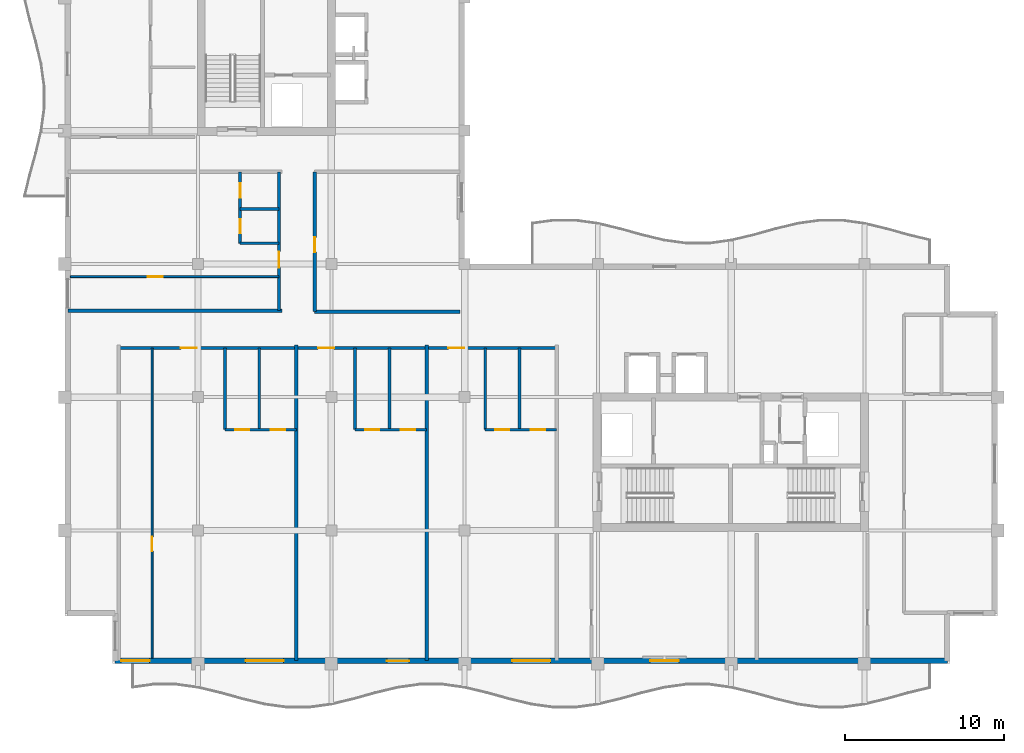
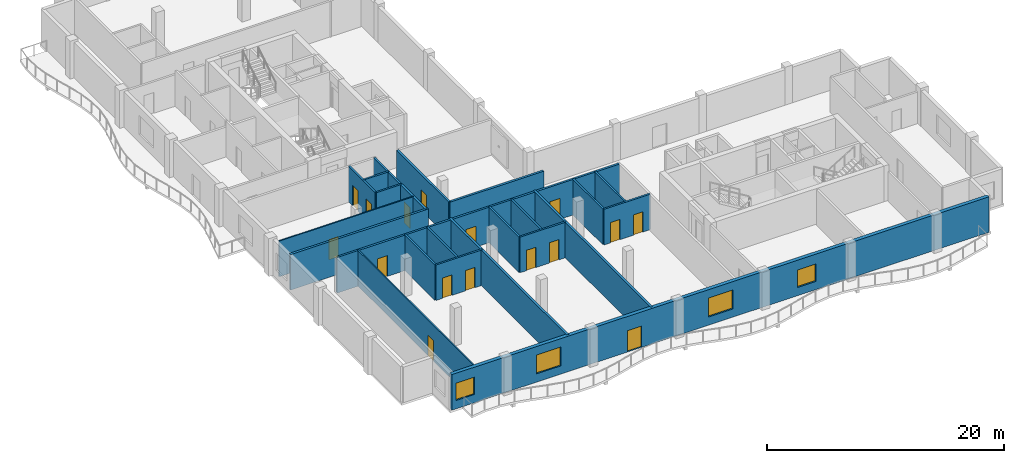
# One storey, part 3 of 11: 22 walls, 16 doors, 4 windows, 20 openings.
"""IFC4 building model written with IfcOpenShell, lengths in metres."""

from ifc_helpers import new_model, si_unit, direction, frame, frame_2d, origin, place, context, subcontext, project, spatial, rectangle, extrude, material, layer, layer_set, type_object, element, fill, save


model = new_model("IFC4")

# Units and contexts
model_context = context("Model", 3, precision=1e-05, world=origin(), true_north=direction((0.0, 1.0)))
body_context = subcontext(model_context, "Body", "Model", "MODEL_VIEW")
ifc_project = project(units=[si_unit("LENGTHUNIT", "METRE"), si_unit("AREAUNIT", "SQUARE_METRE"), si_unit("VOLUMEUNIT", "CUBIC_METRE"), si_unit("PLANEANGLEUNIT", "RADIAN"), si_unit("MASSUNIT", "GRAM", prefix="KILO")], contexts=[model_context])

# Site, building, storey
site_placement = place(None, origin())
site = spatial("IfcSite", under=ifc_project, at=site_placement, CompositionType="ELEMENT")
building_placement = place(site_placement, origin())
building = spatial("IfcBuilding", under=site, at=building_placement, Name="Koriwani Terraces Tower", CompositionType="ELEMENT")
storey_placement = place(building_placement, frame((0.0, 0.0, 320.300048828125)))
storey = spatial("IfcBuildingStorey", under=building, at=storey_placement, Name="L79", CompositionType="ELEMENT", Elevation=320.300048828125)

# Wall, opening, door
ifc_material_1 = material(Name="Autoclaved Cellular Concrete Blockwork", Category="masonry")
ifc_layer_1 = layer(ifc_material_1, 0.199951171875, Name="Autoclaved Cellular Concrete Blockwork")
ifc_layer_set_1 = layer_set([ifc_layer_1], Name="Autoclaved Cellular Concrete Blockwork")
wall_type_1 = type_object("IfcWallType", Name="WALL_CORRIDOR_200", PredefinedType="PARTITIONING", material=ifc_layer_set_1)
wall_1_placement = place(storey_placement, frame((24.14990234375, 30.60009765625, 0.0), z_axis=(0.0, 0.0, 1.0), x_axis=(0.0, 1.0, 0.0)))
wall_1 = element("IfcWall", 1, at=wall_1_placement, inside=storey, type_object=wall_type_1, Name="L79 Interior Wall WIC4W-L79", PredefinedType="PARTITIONING", context=body_context, shape_type="SweptSolid", body=[
    extrude(rectangle(XDim=8.7998046875, YDim=0.199951171875, at=frame_2d((4.39990234375, 0.0))), origin(), (0.0, 0.0, 1.0), 3.669921875),
])
opening_1_placement = place(wall_1_placement, frame((3.75, 0.0, 0.0)))
opening_1 = element("IfcOpeningElement", 2, at=opening_1_placement, cuts=wall_1, Name="Opening D-06", PredefinedType="OPENING", context=body_context, shape_type="SweptSolid", body=[
    extrude(rectangle(XDim=0.919921875, YDim=2.10009765625, at=frame_2d((0.4599609375, 1.050048828125))), frame((0.0, 0.10986328125, 0.0), z_axis=(0.0, -1.0, 0.0), x_axis=(1.0, 0.0, 0.0)), (0.0, 0.0, 1.0), 0.219970703125),
])
ifc_material_2 = material(Name="Architectural Oak Fire Door", Category="wood")
door_type_1 = type_object("IfcDoorType", Name="DOOR_ROOM_INT_920X2100", OperationType="NOTDEFINED", PredefinedType="DOOR", material=ifc_material_2)
door_1_placement = place(opening_1_placement, origin())
door_1 = element("IfcDoor", 3, at=door_1_placement, inside=storey, type_object=door_type_1, Name="L79 High-Rise Court Study Door", OperationType="SINGLE_SWING_LEFT", OverallHeight=2.10009765625, OverallWidth=0.919921875, PredefinedType="DOOR", context=body_context, shape_type="SweptSolid", body=[
    extrude(rectangle(XDim=0.919921875, YDim=2.10009765625, at=frame_2d((0.4599609375, 1.050048828125))), frame((0.0, 0.02490234375, 0.0), z_axis=(0.0, -1.0, 0.0), x_axis=(1.0, 0.0, 0.0)), (0.0, 0.0, 1.0), 0.050048828125),
])
fill(opening_1, door_1)

# Wall, openings, doors
wall_2_placement = place(storey_placement, frame((11.800048828125, 28.300048828125, 0.0), z_axis=(0.0, 0.0, 1.0), x_axis=(1.0, 0.0, 0.0)))
wall_2 = element("IfcWall", 4, at=wall_2_placement, inside=storey, type_object=wall_type_1, Name="L79 Interior Wall WRCOR-L79-SW-0", PredefinedType="PARTITIONING", context=body_context, shape_type="SweptSolid", body=[
    extrude(rectangle(XDim=27.599853515625, YDim=0.199951171875, at=frame_2d((13.7998046875, 0.0))), origin(), (0.0, 0.0, 1.0), 3.669921875),
])
opening_2_placement = place(wall_2_placement, frame((3.919921875, 0.0, 0.0)))
opening_2 = element("IfcOpeningElement", 5, at=opening_2_placement, cuts=wall_2, Name="Opening D-05", PredefinedType="OPENING", context=body_context, shape_type="SweptSolid", body=[
    extrude(rectangle(XDim=1.0, YDim=2.14990234375, at=frame_2d((0.5, 1.074951171875))), frame((0.0, 0.10986328125, 0.0), z_axis=(0.0, -1.0, 0.0), x_axis=(1.0, 0.0, 0.0)), (0.0, 0.0, 1.0), 0.219970703125),
])
opening_3_placement = place(wall_2_placement, frame((12.570068359375, 0.0, 0.0)))
opening_3 = element("IfcOpeningElement", 6, at=opening_3_placement, cuts=wall_2, Name="Opening D-05", PredefinedType="OPENING", context=body_context, shape_type="SweptSolid", body=[
    extrude(rectangle(XDim=1.0, YDim=2.14990234375, at=frame_2d((0.5, 1.074951171875))), frame((0.0, 0.10986328125, 0.0), z_axis=(0.0, -1.0, 0.0), x_axis=(1.0, 0.0, 0.0)), (0.0, 0.0, 1.0), 0.219970703125),
])
opening_4_placement = place(wall_2_placement, frame((20.77001953125, 0.0, 0.0)))
opening_4 = element("IfcOpeningElement", 7, at=opening_4_placement, cuts=wall_2, Name="Opening D-05", PredefinedType="OPENING", context=body_context, shape_type="SweptSolid", body=[
    extrude(rectangle(XDim=1.0, YDim=2.14990234375, at=frame_2d((0.5, 1.074951171875))), frame((0.0, 0.10986328125, 0.0), z_axis=(0.0, -1.0, 0.0), x_axis=(1.0, 0.0, 0.0)), (0.0, 0.0, 1.0), 0.219970703125),
])
door_type_2 = type_object("IfcDoorType", Name="DOOR_SUITE_ENTRY_1000X2150", OperationType="NOTDEFINED", PredefinedType="DOOR", material=ifc_material_2)
door_2_placement = place(opening_2_placement, origin())
door_2 = element("IfcDoor", 8, at=door_2_placement, inside=storey, type_object=door_type_2, Name="Apartment 79SW1 Entrance Door", OperationType="SINGLE_SWING_RIGHT", OverallHeight=2.14990234375, OverallWidth=1.0, PredefinedType="DOOR", context=body_context, shape_type="SweptSolid", body=[
    extrude(rectangle(XDim=1.0, YDim=2.14990234375, at=frame_2d((0.5, 1.074951171875))), frame((0.0, 0.02490234375, 0.0), z_axis=(0.0, -1.0, 0.0), x_axis=(1.0, 0.0, 0.0)), (0.0, 0.0, 1.0), 0.050048828125),
])
fill(opening_2, door_2)
door_3_placement = place(opening_3_placement, origin())
door_3 = element("IfcDoor", 9, at=door_3_placement, inside=storey, type_object=door_type_2, Name="Apartment 79SW2 Entrance Door", OperationType="SINGLE_SWING_RIGHT", OverallHeight=2.14990234375, OverallWidth=1.0, PredefinedType="DOOR", context=body_context, shape_type="SweptSolid", body=[
    extrude(rectangle(XDim=1.0, YDim=2.14990234375, at=frame_2d((0.5, 1.074951171875))), frame((0.0, 0.02490234375, 0.0), z_axis=(0.0, -1.0, 0.0), x_axis=(1.0, 0.0, 0.0)), (0.0, 0.0, 1.0), 0.050048828125),
])
fill(opening_3, door_3)
door_4_placement = place(opening_4_placement, origin())
door_4 = element("IfcDoor", 10, at=door_4_placement, inside=storey, type_object=door_type_2, Name="Apartment 79SW3 Entrance Door", OperationType="SINGLE_SWING_LEFT", OverallHeight=2.14990234375, OverallWidth=1.0, PredefinedType="DOOR", context=body_context, shape_type="SweptSolid", body=[
    extrude(rectangle(XDim=1.0, YDim=2.14990234375, at=frame_2d((0.5, 1.074951171875))), frame((0.0, 0.02490234375, 0.0), z_axis=(0.0, -1.0, 0.0), x_axis=(1.0, 0.0, 0.0)), (0.0, 0.0, 1.0), 0.050048828125),
])
fill(opening_4, door_4)

# Wall, opening, door
wall_3_placement = place(storey_placement, frame((21.89990234375, 30.64990234375, 0.0), z_axis=(0.0, 0.0, 1.0), x_axis=(0.0, 1.0, 0.0)))
wall_3 = element("IfcWall", 11, at=wall_3_placement, inside=storey, type_object=wall_type_1, Name="L79 Interior Wall WRCOR-L79-NE-0", PredefinedType="PARTITIONING", context=body_context, shape_type="SweptSolid", body=[
    extrude(rectangle(XDim=8.75, YDim=0.199951171875, at=frame_2d((4.375, 0.0))), origin(), (0.0, 0.0, 1.0), 3.669921875),
])
opening_5_placement = place(wall_3_placement, frame((2.719970703125, 0.0, 0.0)))
opening_5 = element("IfcOpeningElement", 12, at=opening_5_placement, cuts=wall_3, Name="Opening D-05", PredefinedType="OPENING", context=body_context, shape_type="SweptSolid", body=[
    extrude(rectangle(XDim=1.0, YDim=2.14990234375, at=frame_2d((0.5, 1.074951171875))), frame((0.0, 0.10986328125, 0.0), z_axis=(0.0, -1.0, 0.0), x_axis=(1.0, 0.0, 0.0)), (0.0, 0.0, 1.0), 0.219970703125),
])
door_5_placement = place(opening_5_placement, origin())
door_5 = element("IfcDoor", 13, at=door_5_placement, inside=storey, type_object=door_type_2, Name="Apartment 79NE1 Entrance Door", OperationType="SINGLE_SWING_RIGHT", OverallHeight=2.14990234375, OverallWidth=1.0, PredefinedType="DOOR", context=body_context, shape_type="SweptSolid", body=[
    extrude(rectangle(XDim=1.0, YDim=2.14990234375, at=frame_2d((0.5, 1.074951171875))), frame((0.0, 0.02490234375, 0.0), z_axis=(0.0, -1.0, 0.0), x_axis=(1.0, 0.0, 0.0)), (0.0, 0.0, 1.0), 0.050048828125),
])
fill(opening_5, door_5)

# Walls
ifc_layer_2 = layer(ifc_material_1, 0.219970703125, Name="Autoclaved Cellular Concrete Blockwork")
ifc_layer_set_2 = layer_set([ifc_layer_2], Name="Autoclaved Cellular Concrete Blockwork")
wall_type_2 = type_object("IfcWallType", Name="WALL_DEMISING_220", PredefinedType="PARTITIONING", material=ifc_layer_set_2)
wall_4_placement = place(storey_placement, frame((24.14990234375, 30.60009765625, 0.0), z_axis=(0.0, 0.0, 1.0), x_axis=(1.0, 0.0, 0.0)))
element("IfcWall", 14, at=wall_4_placement, inside=storey, type_object=wall_type_2, Name="L79 Interior Wall WIC4WS-L79", PredefinedType="PARTITIONING", context=body_context, shape_type="SweptSolid", body=[
    extrude(rectangle(XDim=9.150146484375, YDim=0.219970703125, at=frame_2d((4.5751953125, 0.0))), origin(), (0.0, 0.0, 1.0), 3.669921875),
])
for number, where, z_axis, x_axis, name in (
    (15, (23.0, 8.60009765625, 0.0), (0.0, 0.0, 1.0), (0.0, 1.0, 0.0), "L79 Interior Wall WRDEM-L79-SW-1"),
    (16, (31.199951171875, 8.60009765625, 0.0), (0.0, 0.0, 1.0), (0.0, 1.0, 0.0), "L79 Interior Wall WRDEM-L79-SW-2"),
):
    element("IfcWall", number, at=place(storey_placement, frame(where, z_axis=z_axis, x_axis=x_axis)), inside=storey, type_object=wall_type_2, Name=name, PredefinedType="PARTITIONING", context=body_context, shape_type="SweptSolid", body=[
        extrude(rectangle(XDim=19.8798828125, YDim=0.219970703125, at=frame_2d((9.93994140625, 0.0))), origin(), (0.0, 0.0, 1.0), 3.669921875),
    ])
wall_5_placement = place(storey_placement, frame((8.60009765625, 30.64990234375, 0.0), z_axis=(0.0, 0.0, 1.0), x_axis=(1.0, 0.0, 0.0)))
element("IfcWall", 17, at=wall_5_placement, inside=storey, type_object=wall_type_2, Name="L79 Interior Wall WRDEM-L79-NE-0", PredefinedType="PARTITIONING", context=body_context, shape_type="SweptSolid", body=[
    extrude(rectangle(XDim=13.47998046875, YDim=0.219970703125, at=frame_2d((6.739990234375, 0.0))), origin(), (0.0, 0.0, 1.0), 3.669921875),
])

# Wall, openings, door, windows
ifc_material_3 = material(Name="Concrete C50/60", Category="concrete")
ifc_layer_3 = layer(ifc_material_3, 0.35009765625, Name="Concrete C50/60")
ifc_layer_set_3 = layer_set([ifc_layer_3], Name="Concrete C50/60")
wall_type_3 = type_object("IfcWallType", Name="WALL_EXT_BRUTALIST_350", PredefinedType="STANDARD", material=ifc_layer_set_3)
wall_6_placement = place(storey_placement, frame((64.02490234375, 8.574951171875, 0.0), z_axis=(0.0, 0.0, 1.0), x_axis=(-1.0, 0.0, 0.0)))
wall_6 = element("IfcWall", 18, at=wall_6_placement, inside=storey, type_object=wall_type_3, Name="L79 Fair-Faced Brutalist Exterior Wall (S)", PredefinedType="STANDARD", context=body_context, shape_type="SweptSolid", body=[
    extrude(rectangle(XDim=52.449951171875, YDim=0.35009765625, at=frame_2d((26.22509765625, 0.0))), origin(), (0.0, 0.0, 1.0), 3.669921875),
])
opening_6_placement = place(wall_6_placement, frame((33.925048828125, 0.0, 0.0)))
opening_6 = element("IfcOpeningElement", 19, at=opening_6_placement, cuts=wall_6, Name="Opening D-09", PredefinedType="OPENING", context=body_context, shape_type="SweptSolid", body=[
    extrude(rectangle(XDim=1.39990234375, YDim=2.199951171875, at=frame_2d((0.699951171875, 1.10009765625))), frame((0.0, 0.18505859375, 0.0), z_axis=(0.0, -1.0, 0.0), x_axis=(1.0, 0.0, 0.0)), (0.0, 0.0, 1.0), 0.3701171875),
])
opening_7_placement = place(wall_6_placement, frame((41.824951171875, 0.0, 0.85009765625)))
opening_7 = element("IfcOpeningElement", 20, at=opening_7_placement, cuts=wall_6, Name="Opening W-03", PredefinedType="OPENING", context=body_context, shape_type="SweptSolid", body=[
    extrude(rectangle(XDim=2.39990234375, YDim=1.949951171875, at=frame_2d((1.199951171875, 0.97509765625))), frame((0.0, 0.18505859375, 0.0), z_axis=(0.0, -1.0, 0.0), x_axis=(1.0, 0.0, 0.0)), (0.0, 0.0, 1.0), 0.3701171875),
])
opening_8_placement = place(wall_6_placement, frame((25.02490234375, 0.0, 0.85009765625)))
opening_8 = element("IfcOpeningElement", 21, at=opening_8_placement, cuts=wall_6, Name="Opening W-03", PredefinedType="OPENING", context=body_context, shape_type="SweptSolid", body=[
    extrude(rectangle(XDim=2.39990234375, YDim=1.949951171875, at=frame_2d((1.199951171875, 0.97509765625))), frame((0.0, 0.18505859375, 0.0), z_axis=(0.0, -1.0, 0.0), x_axis=(1.0, 0.0, 0.0)), (0.0, 0.0, 1.0), 0.3701171875),
])
opening_9_placement = place(wall_6_placement, frame((16.925048828125, 0.0, 0.85009765625)))
opening_9 = element("IfcOpeningElement", 22, at=opening_9_placement, cuts=wall_6, Name="Opening W-04", PredefinedType="OPENING", context=body_context, shape_type="SweptSolid", body=[
    extrude(rectangle(XDim=1.800048828125, YDim=1.800048828125, at=frame_2d((0.89990234375, 0.89990234375))), frame((0.0, 0.18505859375, 0.0), z_axis=(0.0, -1.0, 0.0), x_axis=(1.0, 0.0, 0.0)), (0.0, 0.0, 1.0), 0.3701171875),
])
opening_10_placement = place(wall_6_placement, frame((50.27490234375, 0.0, 0.85009765625)))
opening_10 = element("IfcOpeningElement", 23, at=opening_10_placement, cuts=wall_6, Name="Opening W-04", PredefinedType="OPENING", context=body_context, shape_type="SweptSolid", body=[
    extrude(rectangle(XDim=1.800048828125, YDim=1.800048828125, at=frame_2d((0.89990234375, 0.89990234375))), frame((0.0, 0.18505859375, 0.0), z_axis=(0.0, -1.0, 0.0), x_axis=(1.0, 0.0, 0.0)), (0.0, 0.0, 1.0), 0.3701171875),
])
ifc_material_4 = material(Name="Anodised Bronze Aluminium", Category="aluminium")
door_type_3 = type_object("IfcDoorType", Name="DOOR_BALCONY_GLAZED_1400X2200", OperationType="NOTDEFINED", PredefinedType="DOOR", material=ifc_material_4)
door_6_placement = place(opening_6_placement, origin())
door_6 = element("IfcDoor", 24, at=door_6_placement, inside=storey, type_object=door_type_3, Name="L79 South Balcony Glazed Door", OperationType="SINGLE_SWING_LEFT", OverallHeight=2.199951171875, OverallWidth=1.39990234375, PredefinedType="DOOR", context=body_context, shape_type="SweptSolid", body=[
    extrude(rectangle(XDim=1.39990234375, YDim=2.199951171875, at=frame_2d((0.699951171875, 1.10009765625))), frame((0.0, 0.02490234375, 0.0), z_axis=(0.0, -1.0, 0.0), x_axis=(1.0, 0.0, 0.0)), (0.0, 0.0, 1.0), 0.050048828125),
])
fill(opening_6, door_6)
ifc_material_5 = material(Name="Tempered Laminated Low-E Glass", Category="glass")
window_type_1 = type_object("IfcWindowType", Name="WIN_RES_BED_1800X1800", PartitioningType="DOUBLE_PANEL_VERTICAL", PredefinedType="WINDOW", material=ifc_material_5)
window_1_placement = place(opening_9_placement, origin())
window_1 = element("IfcWindow", 25, at=window_1_placement, inside=storey, type_object=window_type_1, Name="L79 Exterior Window (S-12)", OverallHeight=1.800048828125, OverallWidth=1.800048828125, PartitioningType="SINGLE_PANEL", PredefinedType="WINDOW", context=body_context, shape_type="SweptSolid", body=[
    extrude(rectangle(XDim=1.800048828125, YDim=1.800048828125, at=frame_2d((0.89990234375, 0.89990234375))), frame((0.0, 0.030029296875, 0.0), z_axis=(0.0, -1.0, 0.0), x_axis=(1.0, 0.0, 0.0)), (0.0, 0.0, 1.0), 0.06005859375),
])
fill(opening_9, window_1)
window_2_placement = place(opening_10_placement, origin())
window_2 = element("IfcWindow", 26, at=window_2_placement, inside=storey, type_object=window_type_1, Name="L79 Exterior Window (S-R34)", OverallHeight=1.800048828125, OverallWidth=1.800048828125, PartitioningType="SINGLE_PANEL", PredefinedType="WINDOW", context=body_context, shape_type="SweptSolid", body=[
    extrude(rectangle(XDim=1.800048828125, YDim=1.800048828125, at=frame_2d((0.89990234375, 0.89990234375))), frame((0.0, 0.030029296875, 0.0), z_axis=(0.0, -1.0, 0.0), x_axis=(1.0, 0.0, 0.0)), (0.0, 0.0, 1.0), 0.06005859375),
])
fill(opening_10, window_2)
window_type_2 = type_object("IfcWindowType", Name="WIN_RES_LIVING_2400X1950", PartitioningType="DOUBLE_PANEL_VERTICAL", PredefinedType="WINDOW", material=ifc_material_5)
window_3_placement = place(opening_7_placement, origin())
window_3 = element("IfcWindow", 27, at=window_3_placement, inside=storey, type_object=window_type_2, Name="L79 Exterior Window (S-3)", OverallHeight=1.949951171875, OverallWidth=2.39990234375, PartitioningType="SINGLE_PANEL", PredefinedType="WINDOW", context=body_context, shape_type="SweptSolid", body=[
    extrude(rectangle(XDim=2.39990234375, YDim=1.949951171875, at=frame_2d((1.199951171875, 0.97509765625))), frame((0.0, 0.030029296875, 0.0), z_axis=(0.0, -1.0, 0.0), x_axis=(1.0, 0.0, 0.0)), (0.0, 0.0, 1.0), 0.06005859375),
])
fill(opening_7, window_3)
window_4_placement = place(opening_8_placement, origin())
window_4 = element("IfcWindow", 28, at=window_4_placement, inside=storey, type_object=window_type_2, Name="L79 Exterior Window (S-9)", OverallHeight=1.949951171875, OverallWidth=2.39990234375, PartitioningType="SINGLE_PANEL", PredefinedType="WINDOW", context=body_context, shape_type="SweptSolid", body=[
    extrude(rectangle(XDim=2.39990234375, YDim=1.949951171875, at=frame_2d((1.199951171875, 0.97509765625))), frame((0.0, 0.030029296875, 0.0), z_axis=(0.0, -1.0, 0.0), x_axis=(1.0, 0.0, 0.0)), (0.0, 0.0, 1.0), 0.06005859375),
])
fill(opening_8, window_4)

# Wall, opening, door
ifc_material_6 = material(Name="Fire-Rated Acoustic Gypsum Partition", Category="masonry")
ifc_layer_4 = layer(ifc_material_6, 0.125, Name="Fire-Rated Acoustic Gypsum Partition")
ifc_layer_set_4 = layer_set([ifc_layer_4], Name="Fire-Rated Acoustic Gypsum Partition")
wall_type_4 = type_object("IfcWallType", Name="WALL_INT_125", PredefinedType="PARTITIONING", material=ifc_layer_set_4)
wall_7_placement = place(storey_placement, frame((13.89990234375, 8.75, 0.0), z_axis=(0.0, 0.0, 1.0), x_axis=(0.0, 1.0, 0.0)))
wall_7 = element("IfcWall", 29, at=wall_7_placement, inside=storey, type_object=wall_type_4, Name="L79 Interior Wall WRBED1-L79-SW-0", PredefinedType="PARTITIONING", context=body_context, shape_type="SweptSolid", body=[
    extrude(rectangle(XDim=19.550048828125, YDim=0.125, at=frame_2d((9.77490234375, 0.0))), origin(), (0.0, 0.0, 1.0), 3.669921875),
])
opening_11_placement = place(wall_7_placement, frame((6.739990234375, 0.0, 0.0)))
opening_11 = element("IfcOpeningElement", 30, at=opening_11_placement, cuts=wall_7, Name="Opening D-06", PredefinedType="OPENING", context=body_context, shape_type="SweptSolid", body=[
    extrude(rectangle(XDim=0.919921875, YDim=2.10009765625, at=frame_2d((0.4599609375, 1.050048828125))), frame((0.0, 0.072509765625, 0.0), z_axis=(0.0, -1.0, 0.0), x_axis=(1.0, 0.0, 0.0)), (0.0, 0.0, 1.0), 0.14501953125),
])
door_7_placement = place(opening_11_placement, origin())
door_7 = element("IfcDoor", 31, at=door_7_placement, inside=storey, type_object=door_type_1, Name="Apartment 79SW1 Master Bedroom Door", OperationType="SINGLE_SWING_LEFT", OverallHeight=2.10009765625, OverallWidth=0.919921875, PredefinedType="DOOR", context=body_context, shape_type="SweptSolid", body=[
    extrude(rectangle(XDim=0.919921875, YDim=2.10009765625, at=frame_2d((0.4599609375, 1.050048828125))), frame((0.0, 0.02490234375, 0.0), z_axis=(0.0, -1.0, 0.0), x_axis=(1.0, 0.0, 0.0)), (0.0, 0.0, 1.0), 0.050048828125),
])
fill(opening_11, door_7)

wall_8_placement = place(storey_placement, frame((8.75, 32.800048828125, 0.0), z_axis=(0.0, 0.0, 1.0), x_axis=(1.0, 0.0, 0.0)))
wall_8 = element("IfcWall", 32, at=wall_8_placement, inside=storey, type_object=wall_type_4, Name="L79 Interior Wall WRBED1-L79-NE-0", PredefinedType="PARTITIONING", context=body_context, shape_type="SweptSolid", body=[
    extrude(rectangle(XDim=13.14990234375, YDim=0.125, at=frame_2d((6.574951171875, 0.0))), origin(), (0.0, 0.0, 1.0), 3.669921875),
])
opening_12_placement = place(wall_8_placement, frame((4.889892578125, 0.0, 0.0)))
opening_12 = element("IfcOpeningElement", 33, at=opening_12_placement, cuts=wall_8, Name="Opening D-06", PredefinedType="OPENING", context=body_context, shape_type="SweptSolid", body=[
    extrude(rectangle(XDim=0.919921875, YDim=2.10009765625, at=frame_2d((0.4599609375, 1.050048828125))), frame((0.0, 0.072509765625, 0.0), z_axis=(0.0, -1.0, 0.0), x_axis=(1.0, 0.0, 0.0)), (0.0, 0.0, 1.0), 0.14501953125),
])
door_8_placement = place(opening_12_placement, origin())
door_8 = element("IfcDoor", 34, at=door_8_placement, inside=storey, type_object=door_type_1, Name="Apartment 79NE1 Master Bedroom Door", OperationType="SINGLE_SWING_LEFT", OverallHeight=2.10009765625, OverallWidth=0.919921875, PredefinedType="DOOR", context=body_context, shape_type="SweptSolid", body=[
    extrude(rectangle(XDim=0.919921875, YDim=2.10009765625, at=frame_2d((0.4599609375, 1.050048828125))), frame((0.0, 0.02490234375, 0.0), z_axis=(0.0, -1.0, 0.0), x_axis=(1.0, 0.0, 0.0)), (0.0, 0.0, 1.0), 0.050048828125),
])
fill(opening_12, door_8)

# Wall, openings, doors
ifc_layer_5 = layer(ifc_material_6, 0.179931640625, Name="Fire-Rated Acoustic Gypsum Partition")
ifc_layer_set_5 = layer_set([ifc_layer_5], Name="Fire-Rated Acoustic Gypsum Partition")
wall_type_5 = type_object("IfcWallType", Name="WALL_PLUMBING_180", PredefinedType="PLUMBINGWALL", material=ifc_layer_set_5)
wall_9_placement = place(storey_placement, frame((18.5, 23.14990234375, 0.0), z_axis=(0.0, 0.0, 1.0), x_axis=(1.0, 0.0, 0.0)))
wall_9 = element("IfcWall", 35, at=wall_9_placement, inside=storey, type_object=wall_type_5, Name="L79 Interior Wall WRSVC-L79-SW-0", PredefinedType="PLUMBINGWALL", context=body_context, shape_type="SweptSolid", body=[
    extrude(rectangle(XDim=4.5, YDim=0.179931640625, at=frame_2d((2.25, 0.0))), origin(), (0.0, 0.0, 1.0), 3.669921875),
])
opening_13_placement = place(wall_9_placement, frame((0.6298828125, 0.0, 0.0)))
opening_13 = element("IfcOpeningElement", 36, at=opening_13_placement, cuts=wall_9, Name="Opening D-07", PredefinedType="OPENING", context=body_context, shape_type="SweptSolid", body=[
    extrude(rectangle(XDim=0.89990234375, YDim=2.10009765625, at=frame_2d((0.449951171875, 1.050048828125))), frame((0.0, 0.10009765625, 0.0), z_axis=(0.0, -1.0, 0.0), x_axis=(1.0, 0.0, 0.0)), (0.0, 0.0, 1.0), 0.199951171875),
])
opening_14_placement = place(wall_9_placement, frame((2.8701171875, 0.0, 0.0)))
opening_14 = element("IfcOpeningElement", 37, at=opening_14_placement, cuts=wall_9, Name="Opening D-06", PredefinedType="OPENING", context=body_context, shape_type="SweptSolid", body=[
    extrude(rectangle(XDim=0.919921875, YDim=2.10009765625, at=frame_2d((0.4599609375, 1.050048828125))), frame((0.0, 0.10009765625, 0.0), z_axis=(0.0, -1.0, 0.0), x_axis=(1.0, 0.0, 0.0)), (0.0, 0.0, 1.0), 0.199951171875),
])
door_type_4 = type_object("IfcDoorType", Name="DOOR_BATH_INT_900X2100", OperationType="NOTDEFINED", PredefinedType="DOOR", material=ifc_material_2)
door_9_placement = place(opening_13_placement, origin())
door_9 = element("IfcDoor", 38, at=door_9_placement, inside=storey, type_object=door_type_4, Name="Apartment 79SW1 Bathroom Door", OperationType="SINGLE_SWING_LEFT", OverallHeight=2.10009765625, OverallWidth=0.89990234375, PredefinedType="DOOR", context=body_context, shape_type="SweptSolid", body=[
    extrude(rectangle(XDim=0.89990234375, YDim=2.10009765625, at=frame_2d((0.449951171875, 1.050048828125))), frame((0.0, 0.02490234375, 0.0), z_axis=(0.0, -1.0, 0.0), x_axis=(1.0, 0.0, 0.0)), (0.0, 0.0, 1.0), 0.050048828125),
])
fill(opening_13, door_9)
door_10_placement = place(opening_14_placement, origin())
door_10 = element("IfcDoor", 39, at=door_10_placement, inside=storey, type_object=door_type_1, Name="Apartment 79SW1 Kitchen Door", OperationType="SINGLE_SWING_RIGHT", OverallHeight=2.10009765625, OverallWidth=0.919921875, PredefinedType="DOOR", context=body_context, shape_type="SweptSolid", body=[
    extrude(rectangle(XDim=0.919921875, YDim=2.10009765625, at=frame_2d((0.4599609375, 1.050048828125))), frame((0.0, 0.02490234375, 0.0), z_axis=(0.0, -1.0, 0.0), x_axis=(1.0, 0.0, 0.0)), (0.0, 0.0, 1.0), 0.050048828125),
])
fill(opening_14, door_10)

# Walls
for number, where, z_axis, x_axis, name in (
    (40, (18.5, 23.14990234375, 0.0), (0.0, 0.0, 1.0), (0.0, 1.0, 0.0), "L79 Interior Wall WRSVCS-L79-SW-0"),
    (41, (20.659912109375, 23.14990234375, 0.0), (0.0, 0.0, 1.0), (0.0, 1.0, 0.0), "L79 Interior Wall WRSVCM-L79-SW-0"),
):
    element("IfcWall", number, at=place(storey_placement, frame(where, z_axis=z_axis, x_axis=x_axis)), inside=storey, type_object=wall_type_5, Name=name, PredefinedType="PLUMBINGWALL", context=body_context, shape_type="SweptSolid", body=[
        extrude(rectangle(XDim=5.150146484375, YDim=0.179931640625, at=frame_2d((2.5751953125, 0.0))), origin(), (0.0, 0.0, 1.0), 3.669921875),
    ])

# Wall, openings, doors
wall_10_placement = place(storey_placement, frame((26.699951171875, 23.14990234375, 0.0), z_axis=(0.0, 0.0, 1.0), x_axis=(1.0, 0.0, 0.0)))
wall_10 = element("IfcWall", 42, at=wall_10_placement, inside=storey, type_object=wall_type_5, Name="L79 Interior Wall WRSVC-L79-SW-1", PredefinedType="PLUMBINGWALL", context=body_context, shape_type="SweptSolid", body=[
    extrude(rectangle(XDim=4.5, YDim=0.179931640625, at=frame_2d((2.25, 0.0))), origin(), (0.0, 0.0, 1.0), 3.669921875),
])
opening_15_placement = place(wall_10_placement, frame((0.6298828125, 0.0, 0.0)))
opening_15 = element("IfcOpeningElement", 43, at=opening_15_placement, cuts=wall_10, Name="Opening D-07", PredefinedType="OPENING", context=body_context, shape_type="SweptSolid", body=[
    extrude(rectangle(XDim=0.89990234375, YDim=2.10009765625, at=frame_2d((0.449951171875, 1.050048828125))), frame((0.0, 0.10009765625, 0.0), z_axis=(0.0, -1.0, 0.0), x_axis=(1.0, 0.0, 0.0)), (0.0, 0.0, 1.0), 0.199951171875),
])
opening_16_placement = place(wall_10_placement, frame((2.8701171875, 0.0, 0.0)))
opening_16 = element("IfcOpeningElement", 44, at=opening_16_placement, cuts=wall_10, Name="Opening D-06", PredefinedType="OPENING", context=body_context, shape_type="SweptSolid", body=[
    extrude(rectangle(XDim=0.919921875, YDim=2.10009765625, at=frame_2d((0.4599609375, 1.050048828125))), frame((0.0, 0.10009765625, 0.0), z_axis=(0.0, -1.0, 0.0), x_axis=(1.0, 0.0, 0.0)), (0.0, 0.0, 1.0), 0.199951171875),
])
door_11_placement = place(opening_15_placement, origin())
door_11 = element("IfcDoor", 45, at=door_11_placement, inside=storey, type_object=door_type_4, Name="Apartment 79SW2 Bathroom Door", OperationType="SINGLE_SWING_LEFT", OverallHeight=2.10009765625, OverallWidth=0.89990234375, PredefinedType="DOOR", context=body_context, shape_type="SweptSolid", body=[
    extrude(rectangle(XDim=0.89990234375, YDim=2.10009765625, at=frame_2d((0.449951171875, 1.050048828125))), frame((0.0, 0.02490234375, 0.0), z_axis=(0.0, -1.0, 0.0), x_axis=(1.0, 0.0, 0.0)), (0.0, 0.0, 1.0), 0.050048828125),
])
fill(opening_15, door_11)
door_12_placement = place(opening_16_placement, origin())
door_12 = element("IfcDoor", 46, at=door_12_placement, inside=storey, type_object=door_type_1, Name="Apartment 79SW2 Kitchen Door", OperationType="SINGLE_SWING_RIGHT", OverallHeight=2.10009765625, OverallWidth=0.919921875, PredefinedType="DOOR", context=body_context, shape_type="SweptSolid", body=[
    extrude(rectangle(XDim=0.919921875, YDim=2.10009765625, at=frame_2d((0.4599609375, 1.050048828125))), frame((0.0, 0.02490234375, 0.0), z_axis=(0.0, -1.0, 0.0), x_axis=(1.0, 0.0, 0.0)), (0.0, 0.0, 1.0), 0.050048828125),
])
fill(opening_16, door_12)

# Walls
for number, where, z_axis, x_axis, name in (
    (47, (26.699951171875, 23.14990234375, 0.0), (0.0, 0.0, 1.0), (0.0, 1.0, 0.0), "L79 Interior Wall WRSVCS-L79-SW-1"),
    (48, (28.860107421875, 23.14990234375, 0.0), (0.0, 0.0, 1.0), (0.0, 1.0, 0.0), "L79 Interior Wall WRSVCM-L79-SW-1"),
):
    element("IfcWall", number, at=place(storey_placement, frame(where, z_axis=z_axis, x_axis=x_axis)), inside=storey, type_object=wall_type_5, Name=name, PredefinedType="PLUMBINGWALL", context=body_context, shape_type="SweptSolid", body=[
        extrude(rectangle(XDim=5.150146484375, YDim=0.179931640625, at=frame_2d((2.5751953125, 0.0))), origin(), (0.0, 0.0, 1.0), 3.669921875),
    ])

# Wall, openings, doors
wall_11_placement = place(storey_placement, frame((34.89990234375, 23.14990234375, 0.0), z_axis=(0.0, 0.0, 1.0), x_axis=(1.0, 0.0, 0.0)))
wall_11 = element("IfcWall", 49, at=wall_11_placement, inside=storey, type_object=wall_type_5, Name="L79 Interior Wall WRSVC-L79-SW-2", PredefinedType="PLUMBINGWALL", context=body_context, shape_type="SweptSolid", body=[
    extrude(rectangle(XDim=4.5, YDim=0.179931640625, at=frame_2d((2.25, 0.0))), origin(), (0.0, 0.0, 1.0), 3.669921875),
])
opening_17_placement = place(wall_11_placement, frame((0.6298828125, 0.0, 0.0)))
opening_17 = element("IfcOpeningElement", 50, at=opening_17_placement, cuts=wall_11, Name="Opening D-07", PredefinedType="OPENING", context=body_context, shape_type="SweptSolid", body=[
    extrude(rectangle(XDim=0.89990234375, YDim=2.10009765625, at=frame_2d((0.449951171875, 1.050048828125))), frame((0.0, 0.10009765625, 0.0), z_axis=(0.0, -1.0, 0.0), x_axis=(1.0, 0.0, 0.0)), (0.0, 0.0, 1.0), 0.199951171875),
])
opening_18_placement = place(wall_11_placement, frame((2.8701171875, 0.0, 0.0)))
opening_18 = element("IfcOpeningElement", 51, at=opening_18_placement, cuts=wall_11, Name="Opening D-06", PredefinedType="OPENING", context=body_context, shape_type="SweptSolid", body=[
    extrude(rectangle(XDim=0.919921875, YDim=2.10009765625, at=frame_2d((0.4599609375, 1.050048828125))), frame((0.0, 0.10009765625, 0.0), z_axis=(0.0, -1.0, 0.0), x_axis=(1.0, 0.0, 0.0)), (0.0, 0.0, 1.0), 0.199951171875),
])
door_13_placement = place(opening_17_placement, origin())
door_13 = element("IfcDoor", 52, at=door_13_placement, inside=storey, type_object=door_type_4, Name="Apartment 79SW3 Bathroom Door", OperationType="SINGLE_SWING_RIGHT", OverallHeight=2.10009765625, OverallWidth=0.89990234375, PredefinedType="DOOR", context=body_context, shape_type="SweptSolid", body=[
    extrude(rectangle(XDim=0.89990234375, YDim=2.10009765625, at=frame_2d((0.449951171875, 1.050048828125))), frame((0.0, 0.02490234375, 0.0), z_axis=(0.0, -1.0, 0.0), x_axis=(1.0, 0.0, 0.0)), (0.0, 0.0, 1.0), 0.050048828125),
])
fill(opening_17, door_13)
door_14_placement = place(opening_18_placement, origin())
door_14 = element("IfcDoor", 53, at=door_14_placement, inside=storey, type_object=door_type_1, Name="Apartment 79SW3 Kitchen Door", OperationType="SINGLE_SWING_LEFT", OverallHeight=2.10009765625, OverallWidth=0.919921875, PredefinedType="DOOR", context=body_context, shape_type="SweptSolid", body=[
    extrude(rectangle(XDim=0.919921875, YDim=2.10009765625, at=frame_2d((0.4599609375, 1.050048828125))), frame((0.0, 0.02490234375, 0.0), z_axis=(0.0, -1.0, 0.0), x_axis=(1.0, 0.0, 0.0)), (0.0, 0.0, 1.0), 0.050048828125),
])
fill(opening_18, door_14)

# Walls
for number, where, z_axis, x_axis, name in (
    (54, (34.89990234375, 23.14990234375, 0.0), (0.0, 0.0, 1.0), (0.0, 1.0, 0.0), "L79 Interior Wall WRSVCS-L79-SW-2"),
    (55, (37.06005859375, 23.14990234375, 0.0), (0.0, 0.0, 1.0), (0.0, 1.0, 0.0), "L79 Interior Wall WRSVCM-L79-SW-2"),
):
    element("IfcWall", number, at=place(storey_placement, frame(where, z_axis=z_axis, x_axis=x_axis)), inside=storey, type_object=wall_type_5, Name=name, PredefinedType="PLUMBINGWALL", context=body_context, shape_type="SweptSolid", body=[
        extrude(rectangle(XDim=5.150146484375, YDim=0.179931640625, at=frame_2d((2.5751953125, 0.0))), origin(), (0.0, 0.0, 1.0), 3.669921875),
    ])

# Wall, openings, doors
wall_12_placement = place(storey_placement, frame((19.449951171875, 34.89990234375, 0.0), z_axis=(0.0, 0.0, 1.0), x_axis=(0.0, 1.0, 0.0)))
wall_12 = element("IfcWall", 56, at=wall_12_placement, inside=storey, type_object=wall_type_5, Name="L79 Interior Wall WRSVC-L79-NE-0", PredefinedType="PLUMBINGWALL", context=body_context, shape_type="SweptSolid", body=[
    extrude(rectangle(XDim=4.5, YDim=0.179931640625, at=frame_2d((2.25, 0.0))), origin(), (0.0, 0.0, 1.0), 3.669921875),
])
opening_19_placement = place(wall_12_placement, frame((0.6298828125, 0.0, 0.0)))
opening_19 = element("IfcOpeningElement", 57, at=opening_19_placement, cuts=wall_12, Name="Opening D-07", PredefinedType="OPENING", context=body_context, shape_type="SweptSolid", body=[
    extrude(rectangle(XDim=0.89990234375, YDim=2.10009765625, at=frame_2d((0.449951171875, 1.050048828125))), frame((0.0, 0.10009765625, 0.0), z_axis=(0.0, -1.0, 0.0), x_axis=(1.0, 0.0, 0.0)), (0.0, 0.0, 1.0), 0.199951171875),
])
opening_20_placement = place(wall_12_placement, frame((2.8701171875, 0.0, 0.0)))
opening_20 = element("IfcOpeningElement", 58, at=opening_20_placement, cuts=wall_12, Name="Opening D-06", PredefinedType="OPENING", context=body_context, shape_type="SweptSolid", body=[
    extrude(rectangle(XDim=0.919921875, YDim=2.10009765625, at=frame_2d((0.4599609375, 1.050048828125))), frame((0.0, 0.10009765625, 0.0), z_axis=(0.0, -1.0, 0.0), x_axis=(1.0, 0.0, 0.0)), (0.0, 0.0, 1.0), 0.199951171875),
])
door_15_placement = place(opening_19_placement, origin())
door_15 = element("IfcDoor", 59, at=door_15_placement, inside=storey, type_object=door_type_4, Name="Apartment 79NE1 Bathroom Door", OperationType="SINGLE_SWING_LEFT", OverallHeight=2.10009765625, OverallWidth=0.89990234375, PredefinedType="DOOR", context=body_context, shape_type="SweptSolid", body=[
    extrude(rectangle(XDim=0.89990234375, YDim=2.10009765625, at=frame_2d((0.449951171875, 1.050048828125))), frame((0.0, 0.02490234375, 0.0), z_axis=(0.0, -1.0, 0.0), x_axis=(1.0, 0.0, 0.0)), (0.0, 0.0, 1.0), 0.050048828125),
])
fill(opening_19, door_15)
door_16_placement = place(opening_20_placement, origin())
door_16 = element("IfcDoor", 60, at=door_16_placement, inside=storey, type_object=door_type_1, Name="Apartment 79NE1 Kitchen Door", OperationType="SINGLE_SWING_RIGHT", OverallHeight=2.10009765625, OverallWidth=0.919921875, PredefinedType="DOOR", context=body_context, shape_type="SweptSolid", body=[
    extrude(rectangle(XDim=0.919921875, YDim=2.10009765625, at=frame_2d((0.4599609375, 1.050048828125))), frame((0.0, 0.02490234375, 0.0), z_axis=(0.0, -1.0, 0.0), x_axis=(1.0, 0.0, 0.0)), (0.0, 0.0, 1.0), 0.050048828125),
])
fill(opening_20, door_16)

# Walls
for number, where, z_axis, x_axis, name in (
    (61, (19.449951171875, 34.89990234375, 0.0), (0.0, 0.0, 1.0), (1.0, 0.0, 0.0), "L79 Interior Wall WRSVCS-L79-NE-0"),
    (62, (19.449951171875, 37.06005859375, 0.0), (0.0, 0.0, 1.0), (1.0, 0.0, 0.0), "L79 Interior Wall WRSVCM-L79-NE-0"),
):
    element("IfcWall", number, at=place(storey_placement, frame(where, z_axis=z_axis, x_axis=x_axis)), inside=storey, type_object=wall_type_5, Name=name, PredefinedType="PLUMBINGWALL", context=body_context, shape_type="SweptSolid", body=[
        extrude(rectangle(XDim=2.449951171875, YDim=0.179931640625, at=frame_2d((1.22509765625, 0.0))), origin(), (0.0, 0.0, 1.0), 3.669921875),
    ])

save(model, "model.ifc")
